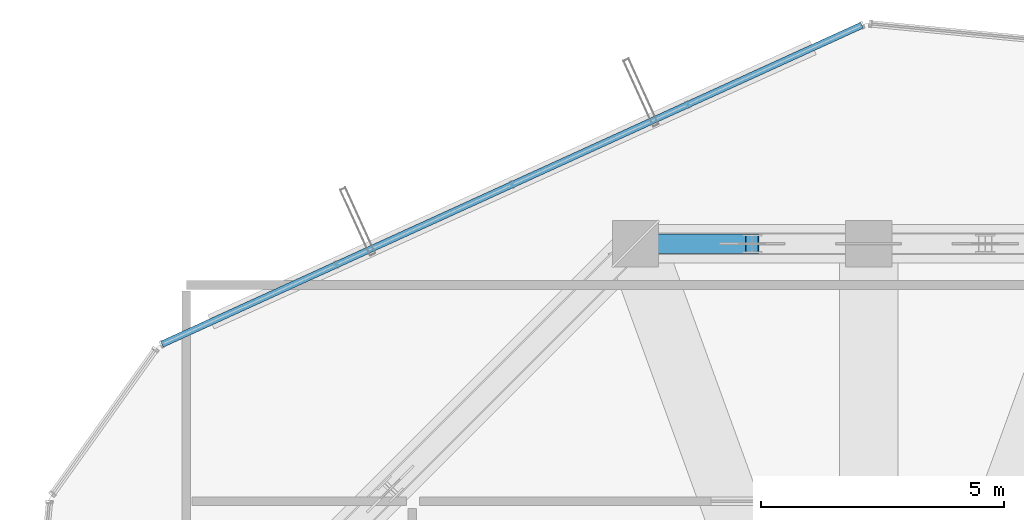
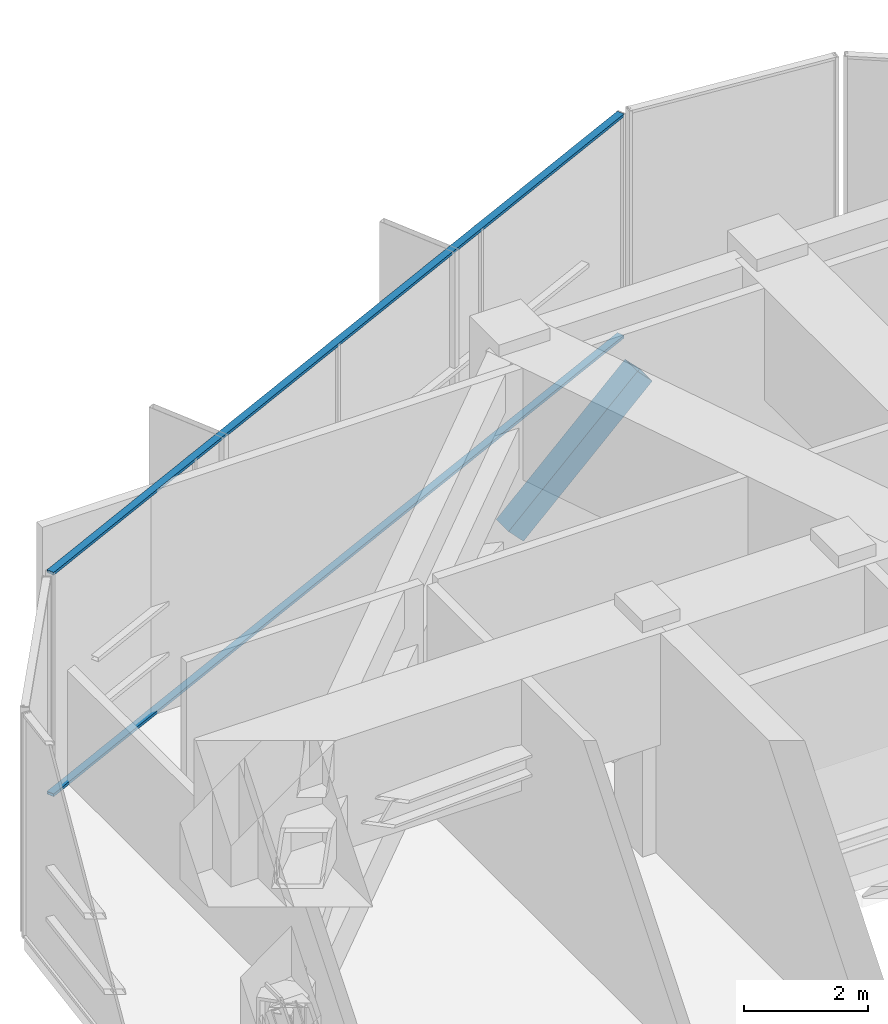
# One storey, part 22 of 31: 3 members, 1 element without a shape of its own.
"""IFC4 building model written with IfcOpenShell, lengths in metres."""

from ifc_helpers import new_model, si_unit, direction, frame, origin, origin_2d, place, context, subcontext, project, spatial, hollow_rectangle, extrude, source, transform, mapped, material, layer, layer_set, material_profile, profile_set, type_object, element, aggregate, save


model = new_model("IFC4")

# Units and contexts
model_context = context("Model", 3, precision=1e-05, world=origin(), true_north=direction((0.0, 1.0)))
body_context = subcontext(model_context, "Body", "Model", "MODEL_VIEW")
ifc_project = project(units=[si_unit("LENGTHUNIT", "METRE"), si_unit("AREAUNIT", "SQUARE_METRE"), si_unit("VOLUMEUNIT", "CUBIC_METRE"), si_unit("PLANEANGLEUNIT", "RADIAN"), si_unit("MASSUNIT", "GRAM", prefix="KILO")], contexts=[model_context])

# Site, building, storey
site_placement = place(None, origin())
site = spatial("IfcSite", under=ifc_project, at=site_placement, CompositionType="ELEMENT")
building_placement = place(site_placement, origin())
building = spatial("IfcBuilding", under=site, at=building_placement, Name="Veraguas Prism Commons", CompositionType="ELEMENT")
storey_placement = place(building_placement, frame((0.0, 0.0, 225.39990234375)))
storey = spatial("IfcBuildingStorey", under=building, at=storey_placement, Name="L64", CompositionType="ELEMENT", Elevation=225.39990234375)

# Member
ifc_material_1 = material(Name="Steel ASTM A500 Grade C", Category="steel")
ifc_material_profile_1 = material_profile(ifc_material_1, hollow_rectangle(XDim=0.39990234375, YDim=0.39990234375, WallThickness=0.02001953125, at=origin_2d()), Name="HSS400X400X20")
ifc_profile_set_1 = profile_set([ifc_material_profile_1], Name="Steel ASTM A500 Grade C")
member_type_1 = type_object("IfcMemberType", Name="Wind Portal V-Brace HSS 400x400x20", PredefinedType="BRACE", material=ifc_profile_set_1)
member_1_placement = place(storey_placement, frame((19.199951171875, 38.89990234375, 0.550048828125), z_axis=(0.719767205746, 0.0, 0.694215506549), x_axis=(0.0, 1.0, 0.0)))
element("IfcMember", 1, at=member_1_placement, inside=storey, type_object=member_type_1, Name="Perimeter Belt Truss Brace L64-05B", PredefinedType="BRACE", context=body_context, shape_type="SweptSolid", body=[
    extrude(hollow_rectangle(XDim=0.39990234375, YDim=0.39990234375, WallThickness=0.02001953125, at=origin_2d()), origin(), (0.0, 0.0, 1.0), 3.334716796875),
])

# Curtain wall, members
ifc_material_2 = material(Name="Anodised aluminium EN AW-6063 T6", Category="aluminium")
ifc_layer = layer(ifc_material_2, 0.14990234375, Name="Unitised Flush Curtain Wall Zone 3", Category="aluminium")
ifc_layer_set = layer_set([ifc_layer], Name="Anodised aluminium EN AW-6063 T6")
curtain_wall_type = type_object("IfcCurtainWallType", Name="Unitised Flush Curtain Wall Zone 3", PredefinedType="NOTDEFINED", material=ifc_layer_set)
curtain_wall_placement = place(storey_placement, origin())
curtain_wall = element("IfcCurtainWall", 2, at=curtain_wall_placement, inside=storey, type_object=curtain_wall_type, Name="Tower Facade Curtain Wall L64-F2", PredefinedType="NOTDEFINED")
ifc_material_profile_2 = material_profile(ifc_material_2, hollow_rectangle(XDim=0.054931640625, YDim=0.135009765625, WallThickness=0.0029296875, at=origin_2d()), Name="AL55X135X3")
ifc_profile_set_2 = profile_set([ifc_material_profile_2], Name="Anodised aluminium EN AW-6063 T6")
member_type_2 = type_object("IfcMemberType", Name="Curtain Wall Transom Standard AL 55x135x3", PredefinedType="USERDEFINED", material=ifc_profile_set_2)
shared_shape = source(origin(), body_context, "Body", "SweptSolid", [
    extrude(hollow_rectangle(XDim=0.054931640625, YDim=0.135009765625, WallThickness=0.0029296875, at=origin_2d()), origin(), (0.0, 0.0, 1.0), 15.84228515625),
])
member_2_placement = place(storey_placement, frame((23.86376953125, 43.400390625, 0.027587890625), z_axis=(-0.909965480714, -0.414684004886, 0.0), x_axis=(0.0, 0.0, 1.0)))
member_2 = element("IfcMember", 3, at=member_2_placement, type_object=member_type_2, Name="CW-Z3 Transom 1", ObjectType="TRANSOM", PredefinedType="USERDEFINED", context=body_context, shape_type="MappedRepresentation", body=[
    mapped(shared_shape, transform((0.0, 0.0, 0.0), scale=1.0)),
])
member_3_placement = place(storey_placement, frame((23.86376953125, 43.400390625, 4.3876953125), z_axis=(-0.909965480714, -0.414684004886, 0.0), x_axis=(0.0, 0.0, 1.0)))
member_3 = element("IfcMember", 4, at=member_3_placement, type_object=member_type_2, Name="CW-Z3 Transom 2", ObjectType="TRANSOM", PredefinedType="USERDEFINED", context=body_context, shape_type="MappedRepresentation", body=[
    mapped(shared_shape, transform((0.0, 0.0, 0.0), scale=1.0)),
])
aggregate(curtain_wall, [member_2, member_3])

save(model, "model.ifc")
